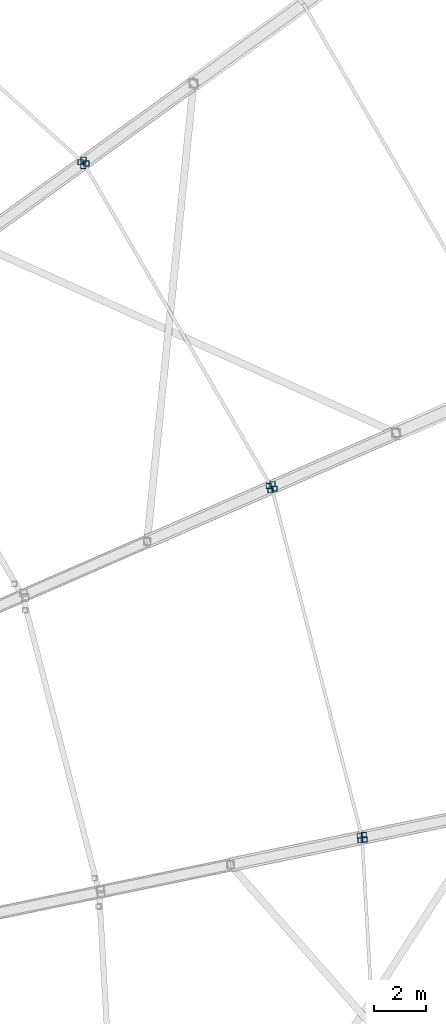
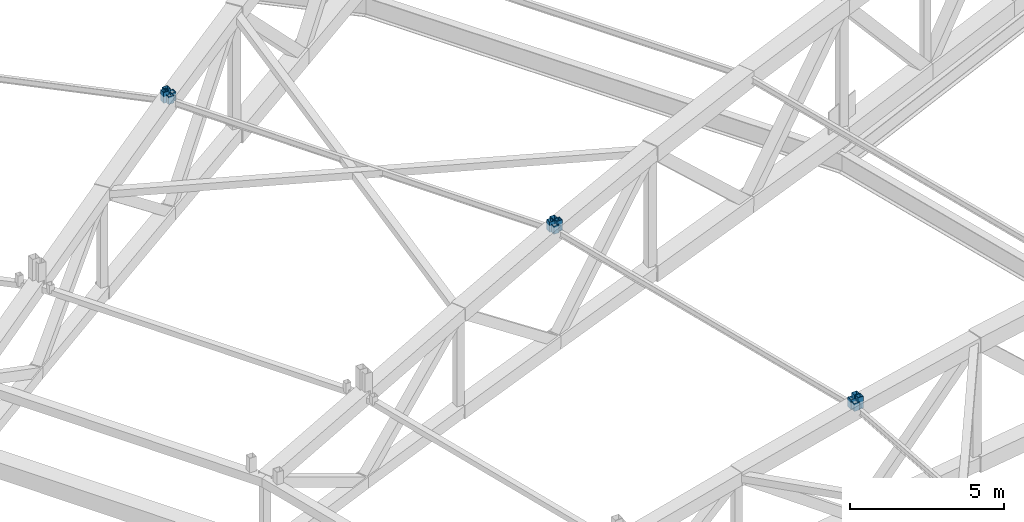
# One storey, part 123 of 162: 12 members.
"""IFC4 building model written with IfcOpenShell, lengths in metres."""

from ifc_helpers import new_model, si_unit, direction, frame, origin, origin_2d, place, context, subcontext, project, spatial, hollow_rectangle, extrude, material, material_profile, profile_set, type_object, element, save


model = new_model("IFC4")

# Units and contexts
model_context = context("Model", 3, precision=1e-05, world=origin(), true_north=direction((0.0, 1.0)))
body_context = subcontext(model_context, "Body", "Model", "MODEL_VIEW")
ifc_project = project(units=[si_unit("LENGTHUNIT", "METRE"), si_unit("AREAUNIT", "SQUARE_METRE"), si_unit("VOLUMEUNIT", "CUBIC_METRE"), si_unit("PLANEANGLEUNIT", "RADIAN"), si_unit("MASSUNIT", "GRAM", prefix="KILO")], contexts=[model_context])

# Site, building, storey
site_placement = place(None, origin())
site = spatial("IfcSite", under=ifc_project, at=site_placement, CompositionType="ELEMENT")
building_placement = place(site_placement, origin())
building = spatial("IfcBuilding", under=site, at=building_placement, Name="Kazemori Nagisa Stadium", CompositionType="ELEMENT")
storey_placement = place(building_placement, frame((0.0, 0.0, 36.719970703125)))
storey = spatial("IfcBuildingStorey", under=building, at=storey_placement, Name="RF", CompositionType="ELEMENT", Elevation=36.719970703125)

# Members
ifc_material = material(Name="Steel STKR490", Category="steel")
ifc_material_profile = material_profile(ifc_material, hollow_rectangle(XDim=0.199951171875, YDim=0.199951171875, WallThickness=0.009033203125, at=origin_2d()), Name="SHS-200x200x9")
ifc_profile_set = profile_set([ifc_material_profile], Name="Steel STKR490")
member_type = type_object("IfcMemberType", Name="Member_TS-SHS200", PredefinedType="STRUT", material=ifc_profile_set)
member_1_placement = place(storey_placement, frame((188.625, 115.468017578125, 5.39794921875), z_axis=(0.0, 0.0, 1.0), x_axis=(1.0, 0.0, 0.0)))
element("IfcMember", 1, at=member_1_placement, inside=storey, type_object=member_type, Name="Canopy bearing stool B01-mid-3", PredefinedType="STRUT", context=body_context, shape_type="SweptSolid", body=[
    extrude(hollow_rectangle(XDim=0.199951171875, YDim=0.199951171875, WallThickness=0.009033203125, at=origin_2d()), origin(), (0.0, 0.0, 1.0), 0.47705078125),
])
member_2_placement = place(storey_placement, frame((188.463623046875, 115.438720703125, 5.39794921875), z_axis=(0.0, 0.0, 1.0), x_axis=(1.0, 0.0, 0.0)))
element("IfcMember", 2, at=member_2_placement, inside=storey, type_object=member_type, Name="Canopy bearing stool B01-inner-2", PredefinedType="STRUT", context=body_context, shape_type="SweptSolid", body=[
    extrude(hollow_rectangle(XDim=0.199951171875, YDim=0.199951171875, WallThickness=0.009033203125, at=origin_2d()), origin(), (0.0, 0.0, 1.0), 0.315185546875),
])
member_3_placement = place(storey_placement, frame((185.14990234375, 128.9951171875, 5.4521484375), z_axis=(0.0, 0.0, 1.0), x_axis=(1.0, 0.0, 0.0)))
element("IfcMember", 3, at=member_3_placement, inside=storey, type_object=member_type, Name="Canopy bearing stool B02-mid-3", PredefinedType="STRUT", context=body_context, shape_type="SweptSolid", body=[
    extrude(hollow_rectangle(XDim=0.199951171875, YDim=0.199951171875, WallThickness=0.009033203125, at=origin_2d()), origin(), (0.0, 0.0, 1.0), 0.4228515625),
])
member_4_placement = place(storey_placement, frame((188.592041015625, 115.6416015625, 5.39794921875), z_axis=(0.0, 0.0, 1.0), x_axis=(1.0, 0.0, 0.0)))
element("IfcMember", 4, at=member_4_placement, inside=storey, type_object=member_type, Name="Canopy bearing stool B02-mid-4", PredefinedType="STRUT", context=body_context, shape_type="SweptSolid", body=[
    extrude(hollow_rectangle(XDim=0.199951171875, YDim=0.199951171875, WallThickness=0.009033203125, at=origin_2d()), origin(), (0.0, 0.0, 1.0), 0.47705078125),
])
member_5_placement = place(storey_placement, frame((188.43408203125, 115.61328125, 5.39794921875), z_axis=(0.0, 0.0, 1.0), x_axis=(1.0, 0.0, 0.0)))
element("IfcMember", 5, at=member_5_placement, inside=storey, type_object=member_type, Name="Canopy bearing stool B02-inner-1", PredefinedType="STRUT", context=body_context, shape_type="SweptSolid", body=[
    extrude(hollow_rectangle(XDim=0.199951171875, YDim=0.199951171875, WallThickness=0.009033203125, at=origin_2d()), origin(), (0.0, 0.0, 1.0), 0.369140625),
])
member_6_placement = place(storey_placement, frame((184.998779296875, 128.93505859375, 5.4521484375), z_axis=(0.0, 0.0, 1.0), x_axis=(1.0, 0.0, 0.0)))
element("IfcMember", 6, at=member_6_placement, inside=storey, type_object=member_type, Name="Canopy bearing stool B02-inner-2", PredefinedType="STRUT", context=body_context, shape_type="SweptSolid", body=[
    extrude(hollow_rectangle(XDim=0.199951171875, YDim=0.199951171875, WallThickness=0.009033203125, at=origin_2d()), origin(), (0.0, 0.0, 1.0), 0.31494140625),
])
member_7_placement = place(storey_placement, frame((177.90673828125, 141.527099609375, 5.5380859375), z_axis=(0.0, 0.0, 1.0), x_axis=(1.0, 0.0, 0.0)))
element("IfcMember", 7, at=member_7_placement, inside=storey, type_object=member_type, Name="Canopy bearing stool B03-mid-3", PredefinedType="STRUT", context=body_context, shape_type="SweptSolid", body=[
    extrude(hollow_rectangle(XDim=0.199951171875, YDim=0.199951171875, WallThickness=0.009033203125, at=origin_2d()), origin(), (0.0, 0.0, 1.0), 0.3369140625),
])
member_8_placement = place(storey_placement, frame((185.077392578125, 129.161865234375, 5.4521484375), z_axis=(0.0, 0.0, 1.0), x_axis=(1.0, 0.0, 0.0)))
element("IfcMember", 8, at=member_8_placement, inside=storey, type_object=member_type, Name="Canopy bearing stool B03-mid-4", PredefinedType="STRUT", context=body_context, shape_type="SweptSolid", body=[
    extrude(hollow_rectangle(XDim=0.199951171875, YDim=0.199951171875, WallThickness=0.009033203125, at=origin_2d()), origin(), (0.0, 0.0, 1.0), 0.4228515625),
])
member_9_placement = place(storey_placement, frame((184.932373046875, 129.096435546875, 5.4521484375), z_axis=(0.0, 0.0, 1.0), x_axis=(1.0, 0.0, 0.0)))
element("IfcMember", 9, at=member_9_placement, inside=storey, type_object=member_type, Name="Canopy bearing stool B03-inner-1", PredefinedType="STRUT", context=body_context, shape_type="SweptSolid", body=[
    extrude(hollow_rectangle(XDim=0.199951171875, YDim=0.199951171875, WallThickness=0.009033203125, at=origin_2d()), origin(), (0.0, 0.0, 1.0), 0.40087890625),
])
member_10_placement = place(storey_placement, frame((177.777587890625, 141.4345703125, 5.5380859375), z_axis=(0.0, 0.0, 1.0), x_axis=(1.0, 0.0, 0.0)))
element("IfcMember", 10, at=member_10_placement, inside=storey, type_object=member_type, Name="Canopy bearing stool B03-inner-2", PredefinedType="STRUT", context=body_context, shape_type="SweptSolid", body=[
    extrude(hollow_rectangle(XDim=0.199951171875, YDim=0.199951171875, WallThickness=0.009033203125, at=origin_2d()), origin(), (0.0, 0.0, 1.0), 0.31494140625),
])
for number, where, z_axis, x_axis, name in (
    (11, (177.791748046875, 141.674072265625, 5.5380859375), (0.0, 0.0, 1.0), (1.0, 0.0, 0.0), "Canopy bearing stool B04-mid-4"),
    (12, (177.67138671875, 141.573974609375, 5.5380859375), (0.0, 0.0, 1.0), (1.0, 0.0, 0.0), "Canopy bearing stool B04-inner-1"),
):
    element("IfcMember", number, at=place(storey_placement, frame(where, z_axis=z_axis, x_axis=x_axis)), inside=storey, type_object=member_type, Name=name, PredefinedType="STRUT", context=body_context, shape_type="SweptSolid", body=[
        extrude(hollow_rectangle(XDim=0.199951171875, YDim=0.199951171875, WallThickness=0.009033203125, at=origin_2d()), origin(), (0.0, 0.0, 1.0), 0.429931640625),
    ])

save(model, "model.ifc")
